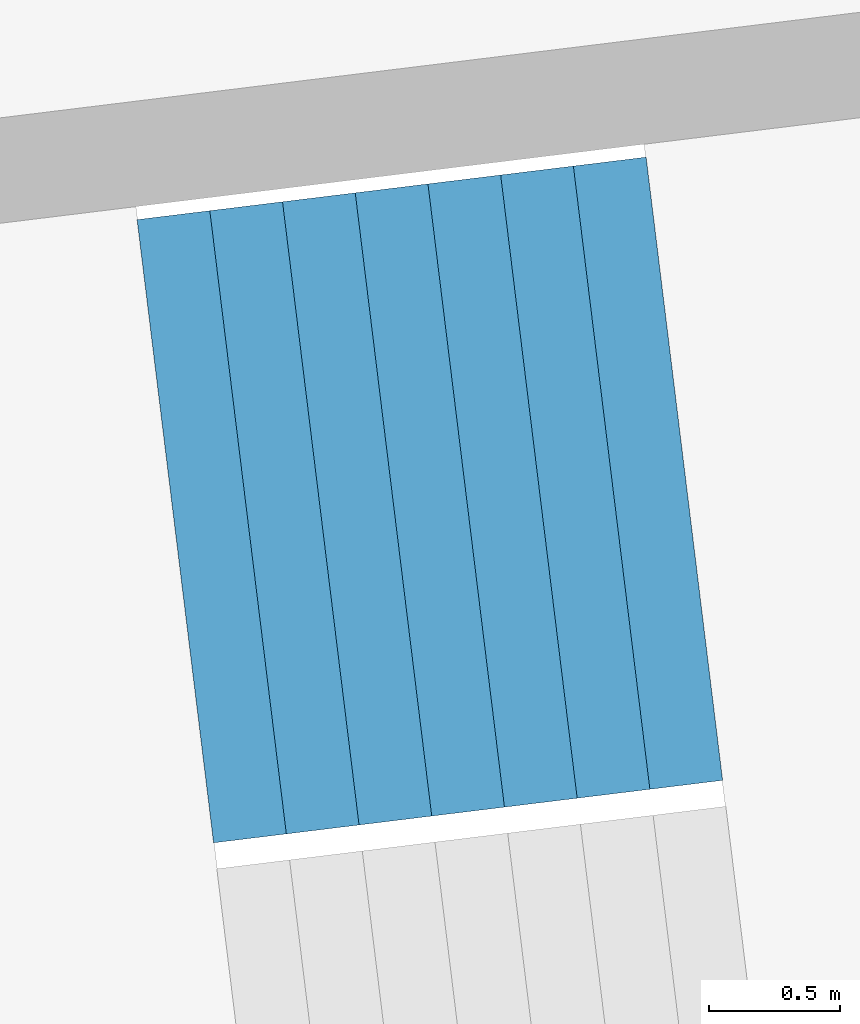
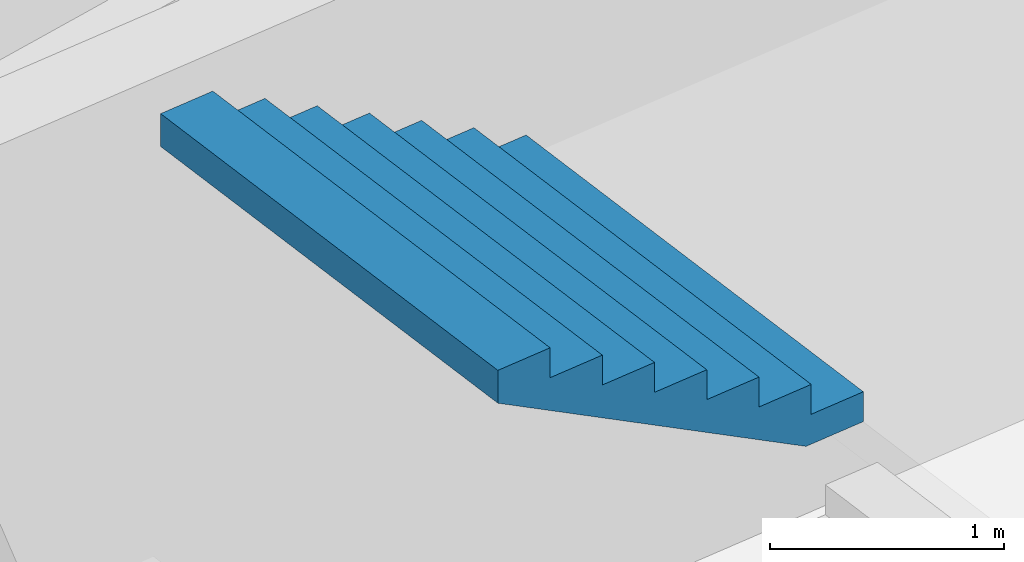
# One storey, part 60 of 73: 1 stair flight, 1 element without a shape of its own.
"""IFC4 building model written with IfcOpenShell, lengths in metres."""

from ifc_helpers import new_model, si_unit, direction, frame, origin, place, context, subcontext, project, spatial, triangles, material, type_object, element, aggregate, save


model = new_model("IFC4")

# Units and contexts
model_context = context("Model", 3, precision=1e-05, world=origin(), true_north=direction((0.0, 1.0)))
body_context = subcontext(model_context, "Body", "Model", "MODEL_VIEW")
ifc_project = project(units=[si_unit("LENGTHUNIT", "METRE"), si_unit("AREAUNIT", "SQUARE_METRE"), si_unit("VOLUMEUNIT", "CUBIC_METRE"), si_unit("PLANEANGLEUNIT", "RADIAN"), si_unit("MASSUNIT", "GRAM", prefix="KILO")], contexts=[model_context])

# Site, building, storey
site_placement = place(None, origin())
site = spatial("IfcSite", under=ifc_project, at=site_placement, CompositionType="ELEMENT")
building_placement = place(site_placement, origin())
building = spatial("IfcBuilding", under=site, at=building_placement, Name="Lantaw Convention Tower", CompositionType="ELEMENT")
storey_placement = place(building_placement, frame((0.0, 0.0, 22.0)))
storey = spatial("IfcBuildingStorey", under=building, at=storey_placement, Name="L03", CompositionType="ELEMENT", Elevation=22.0)

# Stair, stair flight
ifc_material = material(Name="Concrete C35/45", Category="concrete")
stair_type = type_object("IfcStairType", Name="Exit stair 2400 riser 156.25 in 4 flights", PredefinedType="HALF_TURN_STAIR", material=ifc_material)
stair_placement = place(storey_placement, origin())
stair = element("IfcStair", 1, at=stair_placement, inside=storey, type_object=stair_type, Name="Podium exit stair P1 L03", PredefinedType="HALF_TURN_STAIR")
stair_flight_type = type_object("IfcStairFlightType", Name="Stair flight 2400 riser 156.25", PredefinedType="STRAIGHT", material=ifc_material)
stair_flight_placement = place(storey_placement, frame((39.9169921875, 6.16064453125, 3.75), z_axis=(0.0, 0.0, 1.0), x_axis=(-0.992546151641, -0.121869343405, 0.0)))
stair_flight = element("IfcStairFlight", 2, at=stair_flight_placement, type_object=stair_flight_type, Name="P1 flight 4", NumberOfRisers=8, NumberOfTreads=7, PredefinedType="STRAIGHT", RiserHeight=0.15625, TreadLength=0.28, context=body_context, shape_type="Tessellation", body=[
    triangles([(0.0, 1.199951171875, 0.0), (0.0, 1.199951171875, 0.15625), (0.28, 1.199951171875, 0.0), (0.28, 1.199951171875, 0.15625), (0.28, 1.199951171875, 0.3125), (0.3076200632058044, 1.199951171875, 0.0), (0.3076200632058044, 1.199951171875, 0.3125), (0.56, 1.199951171875, 0.14083701830033238), (0.56, 1.199951171875, 0.3125), (0.56, 1.199951171875, 0.46875), (0.8400000000000001, 1.199951171875, 0.29708701830033235), (0.8400000000000001, 1.199951171875, 0.46875), (0.8400000000000001, 1.199951171875, 0.625), (1.12, 1.199951171875, 0.45333701830033235), (1.12, 1.199951171875, 0.625), (1.12, 1.199951171875, 0.78125), (1.4000000000000001, 1.199951171875, 0.6095870183003324), (1.4000000000000001, 1.199951171875, 0.78125), (1.4000000000000001, 1.199951171875, 0.9375), (1.6800000000000002, 1.199951171875, 0.7658370183003324), (1.6800000000000002, 1.199951171875, 0.9375), (1.6800000000000002, 1.199951171875, 1.09375), (1.9600000000000002, 1.199951171875, 0.9220870183003324), (1.9600000000000002, 1.199951171875, 1.09375), (0.0, -1.199951171875, 0.0), (0.0, -1.199951171875, 0.15625), (0.28, -1.199951171875, 0.0), (0.28, -1.199951171875, 0.15625), (0.28, -1.199951171875, 0.3125), (0.3076200632058044, -1.199951171875, 0.0), (0.3076200632058044, -1.199951171875, 0.3125), (0.56, -1.199951171875, 0.14083701830033238), (0.56, -1.199951171875, 0.3125), (0.56, -1.199951171875, 0.46875), (0.8400000000000001, -1.199951171875, 0.29708701830033235), (0.8400000000000001, -1.199951171875, 0.46875), (0.8400000000000001, -1.199951171875, 0.625), (1.12, -1.199951171875, 0.45333701830033235), (1.12, -1.199951171875, 0.625), (1.12, -1.199951171875, 0.78125), (1.4000000000000001, -1.199951171875, 0.6095870183003324), (1.4000000000000001, -1.199951171875, 0.78125), (1.4000000000000001, -1.199951171875, 0.9375), (1.6800000000000002, -1.199951171875, 0.7658370183003324), (1.6800000000000002, -1.199951171875, 0.9375), (1.6800000000000002, -1.199951171875, 1.09375), (1.9600000000000002, -1.199951171875, 0.9220870183003324), (1.9600000000000002, -1.199951171875, 1.09375), (0.0, 0.239990234375, 0.15625), (0.0, 0.239990234375, 0.0), (0.0, 0.1919921875, 0.15625), (0.0, 0.1919921875, 0.0), (0.0, 0.143994140625, 0.15625), (0.0, 0.143994140625, 0.0), (0.0, 0.09599609375, 0.15625), (0.0, 0.09599609375, 0.0), (0.0, 0.047998046875, 0.15625), (0.0, 0.047998046875, 0.0), (0.0, 0.0, 0.15625), (0.0, 0.0, 0.0), (0.0, -0.047998046875, 0.15625), (0.0, -0.047998046875, 0.0), (0.0, -0.09599609375, 0.15625), (0.0, -0.09599609375, 0.0), (0.0, -0.143994140625, 0.15625), (0.0, -0.143994140625, 0.0), (0.0, -0.1919921875, 0.15625), (0.0, -0.1919921875, 0.0), (0.0, -0.239990234375, 0.15625), (0.0, -0.239990234375, 0.0), (0.28, 0.239990234375, 0.3125), (0.28, 0.239990234375, 0.15625), (0.28, 0.1919921875, 0.3125), (0.28, 0.1919921875, 0.15625), (0.28, 0.143994140625, 0.3125), (0.28, 0.143994140625, 0.15625), (0.28, 0.09599609375, 0.3125), (0.28, 0.09599609375, 0.15625), (0.28, 0.047998046875, 0.3125), (0.28, 0.047998046875, 0.15625), (0.28, 0.0, 0.3125), (0.28, 0.0, 0.15625), (0.28, -0.047998046875, 0.3125), (0.28, -0.047998046875, 0.15625), (0.28, -0.09599609375, 0.3125), (0.28, -0.09599609375, 0.15625), (0.28, -0.143994140625, 0.3125), (0.28, -0.143994140625, 0.15625), (0.28, -0.1919921875, 0.3125), (0.28, -0.1919921875, 0.15625), (0.28, -0.239990234375, 0.3125), (0.28, -0.239990234375, 0.15625), (0.56, 0.239990234375, 0.46875), (0.56, 0.239990234375, 0.3125), (0.56, 0.1919921875, 0.46875), (0.56, 0.1919921875, 0.3125), (0.56, 0.143994140625, 0.46875), (0.56, 0.143994140625, 0.3125), (0.56, 0.09599609375, 0.46875), (0.56, 0.09599609375, 0.3125), (0.56, 0.047998046875, 0.46875), (0.56, 0.047998046875, 0.3125), (0.56, 0.0, 0.46875), (0.56, 0.0, 0.3125), (0.56, -0.047998046875, 0.46875), (0.56, -0.047998046875, 0.3125), (0.56, -0.09599609375, 0.46875), (0.56, -0.09599609375, 0.3125), (0.56, -0.143994140625, 0.46875), (0.56, -0.143994140625, 0.3125), (0.56, -0.1919921875, 0.46875), (0.56, -0.1919921875, 0.3125), (0.56, -0.239990234375, 0.46875), (0.56, -0.239990234375, 0.3125), (0.8400000000000001, 0.239990234375, 0.625), (0.8400000000000001, 0.239990234375, 0.46875), (0.8400000000000001, 0.1919921875, 0.625), (0.8400000000000001, 0.1919921875, 0.46875), (0.8400000000000001, 0.143994140625, 0.625), (0.8400000000000001, 0.143994140625, 0.46875), (0.8400000000000001, 0.09599609375, 0.625), (0.8400000000000001, 0.09599609375, 0.46875), (0.8400000000000001, 0.047998046875, 0.625), (0.8400000000000001, 0.047998046875, 0.46875), (0.8400000000000001, 0.0, 0.625), (0.8400000000000001, 0.0, 0.46875), (0.8400000000000001, -0.047998046875, 0.625), (0.8400000000000001, -0.047998046875, 0.46875), (0.8400000000000001, -0.09599609375, 0.625), (0.8400000000000001, -0.09599609375, 0.46875), (0.8400000000000001, -0.143994140625, 0.625), (0.8400000000000001, -0.143994140625, 0.46875), (0.8400000000000001, -0.1919921875, 0.625), (0.8400000000000001, -0.1919921875, 0.46875), (0.8400000000000001, -0.239990234375, 0.625), (0.8400000000000001, -0.239990234375, 0.46875), (1.12, 0.239990234375, 0.78125), (1.12, 0.239990234375, 0.625), (1.12, 0.1919921875, 0.78125), (1.12, 0.1919921875, 0.625), (1.12, 0.143994140625, 0.78125), (1.12, 0.143994140625, 0.625), (1.12, 0.09599609375, 0.78125), (1.12, 0.09599609375, 0.625), (1.12, 0.047998046875, 0.78125), (1.12, 0.047998046875, 0.625), (1.12, 0.0, 0.78125), (1.12, 0.0, 0.625), (1.12, -0.047998046875, 0.78125), (1.12, -0.047998046875, 0.625), (1.12, -0.09599609375, 0.78125), (1.12, -0.09599609375, 0.625), (1.12, -0.143994140625, 0.78125), (1.12, -0.143994140625, 0.625), (1.12, -0.1919921875, 0.78125), (1.12, -0.1919921875, 0.625), (1.12, -0.239990234375, 0.78125), (1.12, -0.239990234375, 0.625), (1.4000000000000001, 0.239990234375, 0.9375), (1.4000000000000001, 0.239990234375, 0.78125), (1.4000000000000001, 0.1919921875, 0.9375), (1.4000000000000001, 0.1919921875, 0.78125), (1.4000000000000001, 0.143994140625, 0.9375), (1.4000000000000001, 0.143994140625, 0.78125), (1.4000000000000001, 0.09599609375, 0.9375), (1.4000000000000001, 0.09599609375, 0.78125), (1.4000000000000001, 0.047998046875, 0.9375), (1.4000000000000001, 0.047998046875, 0.78125), (1.4000000000000001, 0.0, 0.9375), (1.4000000000000001, 0.0, 0.78125), (1.4000000000000001, -0.047998046875, 0.9375), (1.4000000000000001, -0.047998046875, 0.78125), (1.4000000000000001, -0.09599609375, 0.9375), (1.4000000000000001, -0.09599609375, 0.78125), (1.4000000000000001, -0.143994140625, 0.9375), (1.4000000000000001, -0.143994140625, 0.78125), (1.4000000000000001, -0.1919921875, 0.9375), (1.4000000000000001, -0.1919921875, 0.78125), (1.4000000000000001, -0.239990234375, 0.9375), (1.4000000000000001, -0.239990234375, 0.78125), (1.6800000000000002, 0.239990234375, 1.09375), (1.6800000000000002, 0.239990234375, 0.9375), (1.6800000000000002, 0.1919921875, 1.09375), (1.6800000000000002, 0.1919921875, 0.9375), (1.6800000000000002, 0.143994140625, 1.09375), (1.6800000000000002, 0.143994140625, 0.9375), (1.6800000000000002, 0.09599609375, 1.09375), (1.6800000000000002, 0.09599609375, 0.9375), (1.6800000000000002, 0.047998046875, 1.09375), (1.6800000000000002, 0.047998046875, 0.9375), (1.6800000000000002, 0.0, 1.09375), (1.6800000000000002, 0.0, 0.9375), (1.6800000000000002, -0.047998046875, 1.09375), (1.6800000000000002, -0.047998046875, 0.9375), (1.6800000000000002, -0.09599609375, 1.09375), (1.6800000000000002, -0.09599609375, 0.9375), (1.6800000000000002, -0.143994140625, 1.09375), (1.6800000000000002, -0.143994140625, 0.9375), (1.6800000000000002, -0.1919921875, 1.09375), (1.6800000000000002, -0.1919921875, 0.9375), (1.6800000000000002, -0.239990234375, 1.09375), (1.6800000000000002, -0.239990234375, 0.9375), (0.3076200632058044, 0.239990234375, 0.3125), (0.3076200632058044, 0.1919921875, 0.3125), (0.3076200632058044, 0.143994140625, 0.3125), (0.3076200632058044, 0.09599609375, 0.3125), (0.3076200632058044, 0.047998046875, 0.3125), (0.3076200632058044, 0.0, 0.3125), (0.3076200632058044, -0.047998046875, 0.3125), (0.3076200632058044, -0.09599609375, 0.3125), (0.3076200632058044, -0.143994140625, 0.3125), (0.3076200632058044, -0.1919921875, 0.3125), (0.3076200632058044, -0.239990234375, 0.3125), (1.9600000000000002, 0.239990234375, 1.09375), (1.9600000000000002, 0.1919921875, 1.09375), (1.9600000000000002, 0.143994140625, 1.09375), (1.9600000000000002, 0.09599609375, 1.09375), (1.9600000000000002, 0.047998046875, 1.09375), (1.9600000000000002, 0.0, 1.09375), (1.9600000000000002, -0.047998046875, 1.09375), (1.9600000000000002, -0.09599609375, 1.09375), (1.9600000000000002, -0.143994140625, 1.09375), (1.9600000000000002, -0.1919921875, 1.09375), (1.9600000000000002, -0.239990234375, 1.09375), (1.9600000000000002, 0.239990234375, 0.9220870183003324), (1.9600000000000002, 0.1919921875, 0.9220870183003324), (1.9600000000000002, 0.143994140625, 0.9220870183003324), (1.9600000000000002, 0.09599609375, 0.9220870183003324), (1.9600000000000002, 0.047998046875, 0.9220870183003324), (1.9600000000000002, 0.0, 0.9220870183003324), (1.9600000000000002, -0.047998046875, 0.9220870183003324), (1.9600000000000002, -0.09599609375, 0.9220870183003324), (1.9600000000000002, -0.143994140625, 0.9220870183003324), (1.9600000000000002, -0.1919921875, 0.9220870183003324), (1.9600000000000002, -0.239990234375, 0.9220870183003324), (1.6800000000000002, 0.239990234375, 0.7658370183003324), (1.6800000000000002, 0.1919921875, 0.7658370183003324), (1.6800000000000002, 0.143994140625, 0.7658370183003324), (1.6800000000000002, 0.09599609375, 0.7658370183003324), (1.6800000000000002, 0.047998046875, 0.7658370183003324), (1.6800000000000002, 0.0, 0.7658370183003324), (1.6800000000000002, -0.047998046875, 0.7658370183003324), (1.6800000000000002, -0.09599609375, 0.7658370183003324), (1.6800000000000002, -0.143994140625, 0.7658370183003324), (1.6800000000000002, -0.1919921875, 0.7658370183003324), (1.6800000000000002, -0.239990234375, 0.7658370183003324), (1.4000000000000001, 0.239990234375, 0.6095870183003324), (1.4000000000000001, 0.1919921875, 0.6095870183003324), (1.4000000000000001, 0.143994140625, 0.6095870183003324), (1.4000000000000001, 0.09599609375, 0.6095870183003324), (1.4000000000000001, 0.047998046875, 0.6095870183003324), (1.4000000000000001, 0.0, 0.6095870183003324), (1.4000000000000001, -0.047998046875, 0.6095870183003324), (1.4000000000000001, -0.09599609375, 0.6095870183003324), (1.4000000000000001, -0.143994140625, 0.6095870183003324), (1.4000000000000001, -0.1919921875, 0.6095870183003324), (1.4000000000000001, -0.239990234375, 0.6095870183003324), (1.12, 0.239990234375, 0.45333701830033235), (1.12, 0.1919921875, 0.45333701830033235), (1.12, 0.143994140625, 0.45333701830033235), (1.12, 0.09599609375, 0.45333701830033235), (1.12, 0.047998046875, 0.45333701830033235), (1.12, 0.0, 0.45333701830033235), (1.12, -0.047998046875, 0.45333701830033235), (1.12, -0.09599609375, 0.45333701830033235), (1.12, -0.143994140625, 0.45333701830033235), (1.12, -0.1919921875, 0.45333701830033235), (1.12, -0.239990234375, 0.45333701830033235), (0.8400000000000001, 0.239990234375, 0.29708701830033235), (0.8400000000000001, 0.1919921875, 0.29708701830033235), (0.8400000000000001, 0.143994140625, 0.29708701830033235), (0.8400000000000001, 0.09599609375, 0.29708701830033235), (0.8400000000000001, 0.047998046875, 0.29708701830033235), (0.8400000000000001, 0.0, 0.29708701830033235), (0.8400000000000001, -0.047998046875, 0.29708701830033235), (0.8400000000000001, -0.09599609375, 0.29708701830033235), (0.8400000000000001, -0.143994140625, 0.29708701830033235), (0.8400000000000001, -0.1919921875, 0.29708701830033235), (0.8400000000000001, -0.239990234375, 0.29708701830033235), (0.56, 0.239990234375, 0.14083701830033238), (0.56, 0.1919921875, 0.14083701830033238), (0.56, 0.143994140625, 0.14083701830033238), (0.56, 0.09599609375, 0.14083701830033238), (0.56, 0.047998046875, 0.14083701830033238), (0.56, 0.0, 0.14083701830033238), (0.56, -0.047998046875, 0.14083701830033238), (0.56, -0.09599609375, 0.14083701830033238), (0.56, -0.143994140625, 0.14083701830033238), (0.56, -0.1919921875, 0.14083701830033238), (0.56, -0.239990234375, 0.14083701830033238), (0.3076200632058044, 0.239990234375, 0.0), (0.3076200632058044, 0.1919921875, 0.0), (0.3076200632058044, 0.143994140625, 0.0), (0.3076200632058044, 0.09599609375, 0.0), (0.3076200632058044, 0.047998046875, 0.0), (0.3076200632058044, 0.0, 0.0), (0.3076200632058044, -0.047998046875, 0.0), (0.3076200632058044, -0.09599609375, 0.0), (0.3076200632058044, -0.143994140625, 0.0), (0.3076200632058044, -0.1919921875, 0.0), (0.3076200632058044, -0.239990234375, 0.0), (0.28, 0.239990234375, 0.0), (0.28, 0.1919921875, 0.0), (0.28, 0.143994140625, 0.0), (0.28, 0.09599609375, 0.0), (0.28, 0.047998046875, 0.0), (0.28, 0.0, 0.0), (0.28, -0.047998046875, 0.0), (0.28, -0.09599609375, 0.0), (0.28, -0.143994140625, 0.0), (0.28, -0.1919921875, 0.0), (0.28, -0.239990234375, 0.0)], [[1, 4, 3], [1, 2, 4], [3, 4, 6], [4, 7, 6], [4, 5, 7], [6, 9, 8], [6, 7, 9], [8, 9, 11], [9, 12, 11], [9, 10, 12], [11, 12, 14], [12, 15, 14], [12, 13, 15], [14, 15, 17], [15, 18, 17], [15, 16, 18], [17, 18, 20], [18, 21, 20], [18, 19, 21], [20, 21, 23], [21, 24, 23], [21, 22, 24], [25, 27, 28], [25, 28, 26], [27, 30, 28], [28, 30, 31], [28, 31, 29], [30, 32, 33], [30, 33, 31], [32, 35, 33], [33, 35, 36], [33, 36, 34], [35, 38, 36], [36, 38, 39], [36, 39, 37], [38, 41, 39], [39, 41, 42], [39, 42, 40], [41, 44, 42], [42, 44, 45], [42, 45, 43], [44, 47, 45], [45, 47, 48], [45, 48, 46], [1, 49, 2], [1, 50, 49], [50, 51, 49], [50, 52, 51], [52, 53, 51], [52, 54, 53], [54, 55, 53], [54, 56, 55], [56, 57, 55], [56, 58, 57], [58, 59, 57], [58, 60, 59], [60, 61, 59], [60, 62, 61], [62, 63, 61], [62, 64, 63], [64, 65, 63], [64, 66, 65], [66, 67, 65], [66, 68, 67], [68, 69, 67], [68, 70, 69], [70, 26, 69], [70, 25, 26], [4, 71, 5], [4, 72, 71], [72, 73, 71], [72, 74, 73], [74, 75, 73], [74, 76, 75], [76, 77, 75], [76, 78, 77], [78, 79, 77], [78, 80, 79], [80, 81, 79], [80, 82, 81], [82, 83, 81], [82, 84, 83], [84, 85, 83], [84, 86, 85], [86, 87, 85], [86, 88, 87], [88, 89, 87], [88, 90, 89], [90, 91, 89], [90, 92, 91], [92, 29, 91], [92, 28, 29], [9, 93, 10], [9, 94, 93], [94, 95, 93], [94, 96, 95], [96, 97, 95], [96, 98, 97], [98, 99, 97], [98, 100, 99], [100, 101, 99], [100, 102, 101], [102, 103, 101], [102, 104, 103], [104, 105, 103], [104, 106, 105], [106, 107, 105], [106, 108, 107], [108, 109, 107], [108, 110, 109], [110, 111, 109], [110, 112, 111], [112, 113, 111], [112, 114, 113], [114, 34, 113], [114, 33, 34], [12, 115, 13], [12, 116, 115], [116, 117, 115], [116, 118, 117], [118, 119, 117], [118, 120, 119], [120, 121, 119], [120, 122, 121], [122, 123, 121], [122, 124, 123], [124, 125, 123], [124, 126, 125], [126, 127, 125], [126, 128, 127], [128, 129, 127], [128, 130, 129], [130, 131, 129], [130, 132, 131], [132, 133, 131], [132, 134, 133], [134, 135, 133], [134, 136, 135], [136, 37, 135], [136, 36, 37], [15, 137, 16], [15, 138, 137], [138, 139, 137], [138, 140, 139], [140, 141, 139], [140, 142, 141], [142, 143, 141], [142, 144, 143], [144, 145, 143], [144, 146, 145], [146, 147, 145], [146, 148, 147], [148, 149, 147], [148, 150, 149], [150, 151, 149], [150, 152, 151], [152, 153, 151], [152, 154, 153], [154, 155, 153], [154, 156, 155], [156, 157, 155], [156, 158, 157], [158, 40, 157], [158, 39, 40], [18, 159, 19], [18, 160, 159], [160, 161, 159], [160, 162, 161], [162, 163, 161], [162, 164, 163], [164, 165, 163], [164, 166, 165], [166, 167, 165], [166, 168, 167], [168, 169, 167], [168, 170, 169], [170, 171, 169], [170, 172, 171], [172, 173, 171], [172, 174, 173], [174, 175, 173], [174, 176, 175], [176, 177, 175], [176, 178, 177], [178, 179, 177], [178, 180, 179], [180, 43, 179], [180, 42, 43], [21, 181, 22], [21, 182, 181], [182, 183, 181], [182, 184, 183], [184, 185, 183], [184, 186, 185], [186, 187, 185], [186, 188, 187], [188, 189, 187], [188, 190, 189], [190, 191, 189], [190, 192, 191], [192, 193, 191], [192, 194, 193], [194, 195, 193], [194, 196, 195], [196, 197, 195], [196, 198, 197], [198, 199, 197], [198, 200, 199], [200, 201, 199], [200, 202, 201], [202, 46, 201], [202, 45, 46], [2, 72, 4], [2, 49, 72], [49, 74, 72], [49, 51, 74], [51, 76, 74], [51, 53, 76], [53, 78, 76], [53, 55, 78], [55, 80, 78], [55, 57, 80], [57, 82, 80], [57, 59, 82], [59, 84, 82], [59, 61, 84], [61, 86, 84], [61, 63, 86], [63, 88, 86], [63, 65, 88], [65, 90, 88], [65, 67, 90], [67, 92, 90], [67, 69, 92], [69, 28, 92], [69, 26, 28], [5, 203, 7], [5, 71, 203], [71, 204, 203], [71, 73, 204], [73, 205, 204], [73, 75, 205], [75, 206, 205], [75, 77, 206], [77, 207, 206], [77, 79, 207], [79, 208, 207], [79, 81, 208], [81, 209, 208], [81, 83, 209], [83, 210, 209], [83, 85, 210], [85, 211, 210], [85, 87, 211], [87, 212, 211], [87, 89, 212], [89, 213, 212], [89, 91, 213], [91, 31, 213], [91, 29, 31], [7, 94, 9], [7, 203, 94], [203, 96, 94], [203, 204, 96], [204, 98, 96], [204, 205, 98], [205, 100, 98], [205, 206, 100], [206, 102, 100], [206, 207, 102], [207, 104, 102], [207, 208, 104], [208, 106, 104], [208, 209, 106], [209, 108, 106], [209, 210, 108], [210, 110, 108], [210, 211, 110], [211, 112, 110], [211, 212, 112], [212, 114, 112], [212, 213, 114], [213, 33, 114], [213, 31, 33], [10, 116, 12], [10, 93, 116], [93, 118, 116], [93, 95, 118], [95, 120, 118], [95, 97, 120], [97, 122, 120], [97, 99, 122], [99, 124, 122], [99, 101, 124], [101, 126, 124], [101, 103, 126], [103, 128, 126], [103, 105, 128], [105, 130, 128], [105, 107, 130], [107, 132, 130], [107, 109, 132], [109, 134, 132], [109, 111, 134], [111, 136, 134], [111, 113, 136], [113, 36, 136], [113, 34, 36], [13, 138, 15], [13, 115, 138], [115, 140, 138], [115, 117, 140], [117, 142, 140], [117, 119, 142], [119, 144, 142], [119, 121, 144], [121, 146, 144], [121, 123, 146], [123, 148, 146], [123, 125, 148], [125, 150, 148], [125, 127, 150], [127, 152, 150], [127, 129, 152], [129, 154, 152], [129, 131, 154], [131, 156, 154], [131, 133, 156], [133, 158, 156], [133, 135, 158], [135, 39, 158], [135, 37, 39], [16, 160, 18], [16, 137, 160], [137, 162, 160], [137, 139, 162], [139, 164, 162], [139, 141, 164], [141, 166, 164], [141, 143, 166], [143, 168, 166], [143, 145, 168], [145, 170, 168], [145, 147, 170], [147, 172, 170], [147, 149, 172], [149, 174, 172], [149, 151, 174], [151, 176, 174], [151, 153, 176], [153, 178, 176], [153, 155, 178], [155, 180, 178], [155, 157, 180], [157, 42, 180], [157, 40, 42], [19, 182, 21], [19, 159, 182], [159, 184, 182], [159, 161, 184], [161, 186, 184], [161, 163, 186], [163, 188, 186], [163, 165, 188], [165, 190, 188], [165, 167, 190], [167, 192, 190], [167, 169, 192], [169, 194, 192], [169, 171, 194], [171, 196, 194], [171, 173, 196], [173, 198, 196], [173, 175, 198], [175, 200, 198], [175, 177, 200], [177, 202, 200], [177, 179, 202], [179, 45, 202], [179, 43, 45], [22, 214, 24], [22, 181, 214], [181, 215, 214], [181, 183, 215], [183, 216, 215], [183, 185, 216], [185, 217, 216], [185, 187, 217], [187, 218, 217], [187, 189, 218], [189, 219, 218], [189, 191, 219], [191, 220, 219], [191, 193, 220], [193, 221, 220], [193, 195, 221], [195, 222, 221], [195, 197, 222], [197, 223, 222], [197, 199, 223], [199, 224, 223], [199, 201, 224], [201, 48, 224], [201, 46, 48], [24, 225, 23], [24, 214, 225], [214, 226, 225], [214, 215, 226], [215, 227, 226], [215, 216, 227], [216, 228, 227], [216, 217, 228], [217, 229, 228], [217, 218, 229], [218, 230, 229], [218, 219, 230], [219, 231, 230], [219, 220, 231], [220, 232, 231], [220, 221, 232], [221, 233, 232], [221, 222, 233], [222, 234, 233], [222, 223, 234], [223, 235, 234], [223, 224, 235], [224, 47, 235], [224, 48, 47], [23, 236, 20], [23, 225, 236], [225, 237, 236], [225, 226, 237], [226, 238, 237], [226, 227, 238], [227, 239, 238], [227, 228, 239], [228, 240, 239], [228, 229, 240], [229, 241, 240], [229, 230, 241], [230, 242, 241], [230, 231, 242], [231, 243, 242], [231, 232, 243], [232, 244, 243], [232, 233, 244], [233, 245, 244], [233, 234, 245], [234, 246, 245], [234, 235, 246], [235, 44, 246], [235, 47, 44], [20, 247, 17], [20, 236, 247], [236, 248, 247], [236, 237, 248], [237, 249, 248], [237, 238, 249], [238, 250, 249], [238, 239, 250], [239, 251, 250], [239, 240, 251], [240, 252, 251], [240, 241, 252], [241, 253, 252], [241, 242, 253], [242, 254, 253], [242, 243, 254], [243, 255, 254], [243, 244, 255], [244, 256, 255], [244, 245, 256], [245, 257, 256], [245, 246, 257], [246, 41, 257], [246, 44, 41], [17, 258, 14], [17, 247, 258], [247, 259, 258], [247, 248, 259], [248, 260, 259], [248, 249, 260], [249, 261, 260], [249, 250, 261], [250, 262, 261], [250, 251, 262], [251, 263, 262], [251, 252, 263], [252, 264, 263], [252, 253, 264], [253, 265, 264], [253, 254, 265], [254, 266, 265], [254, 255, 266], [255, 267, 266], [255, 256, 267], [256, 268, 267], [256, 257, 268], [257, 38, 268], [257, 41, 38], [14, 269, 11], [14, 258, 269], [258, 270, 269], [258, 259, 270], [259, 271, 270], [259, 260, 271], [260, 272, 271], [260, 261, 272], [261, 273, 272], [261, 262, 273], [262, 274, 273], [262, 263, 274], [263, 275, 274], [263, 264, 275], [264, 276, 275], [264, 265, 276], [265, 277, 276], [265, 266, 277], [266, 278, 277], [266, 267, 278], [267, 279, 278], [267, 268, 279], [268, 35, 279], [268, 38, 35], [11, 280, 8], [11, 269, 280], [269, 281, 280], [269, 270, 281], [270, 282, 281], [270, 271, 282], [271, 283, 282], [271, 272, 283], [272, 284, 283], [272, 273, 284], [273, 285, 284], [273, 274, 285], [274, 286, 285], [274, 275, 286], [275, 287, 286], [275, 276, 287], [276, 288, 287], [276, 277, 288], [277, 289, 288], [277, 278, 289], [278, 290, 289], [278, 279, 290], [279, 32, 290], [279, 35, 32], [8, 291, 6], [8, 280, 291], [280, 292, 291], [280, 281, 292], [281, 293, 292], [281, 282, 293], [282, 294, 293], [282, 283, 294], [283, 295, 294], [283, 284, 295], [284, 296, 295], [284, 285, 296], [285, 297, 296], [285, 286, 297], [286, 298, 297], [286, 287, 298], [287, 299, 298], [287, 288, 299], [288, 300, 299], [288, 289, 300], [289, 301, 300], [289, 290, 301], [290, 30, 301], [290, 32, 30], [6, 302, 3], [6, 291, 302], [291, 303, 302], [291, 292, 303], [292, 304, 303], [292, 293, 304], [293, 305, 304], [293, 294, 305], [294, 306, 305], [294, 295, 306], [295, 307, 306], [295, 296, 307], [296, 308, 307], [296, 297, 308], [297, 309, 308], [297, 298, 309], [298, 310, 309], [298, 299, 310], [299, 311, 310], [299, 300, 311], [300, 312, 311], [300, 301, 312], [301, 27, 312], [301, 30, 27], [3, 50, 1], [3, 302, 50], [302, 52, 50], [302, 303, 52], [303, 54, 52], [303, 304, 54], [304, 56, 54], [304, 305, 56], [305, 58, 56], [305, 306, 58], [306, 60, 58], [306, 307, 60], [307, 62, 60], [307, 308, 62], [308, 64, 62], [308, 309, 64], [309, 66, 64], [309, 310, 66], [310, 68, 66], [310, 311, 68], [311, 70, 68], [311, 312, 70], [312, 25, 70], [312, 27, 25]], closed=True),
])
aggregate(stair, [stair_flight])

save(model, "model.ifc")
